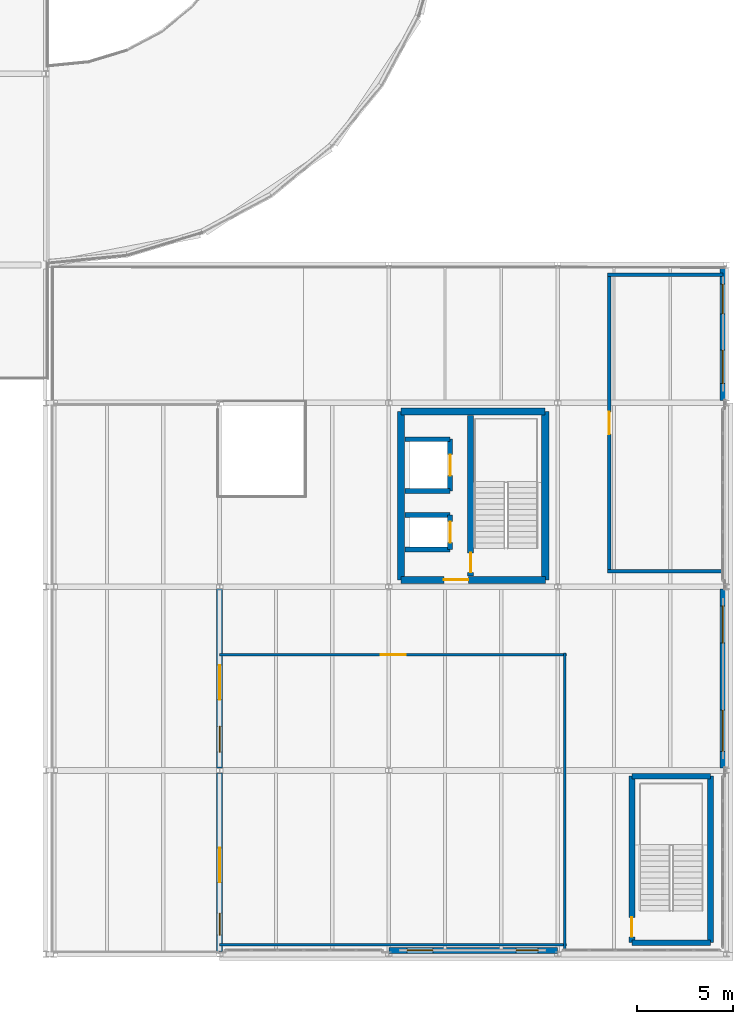
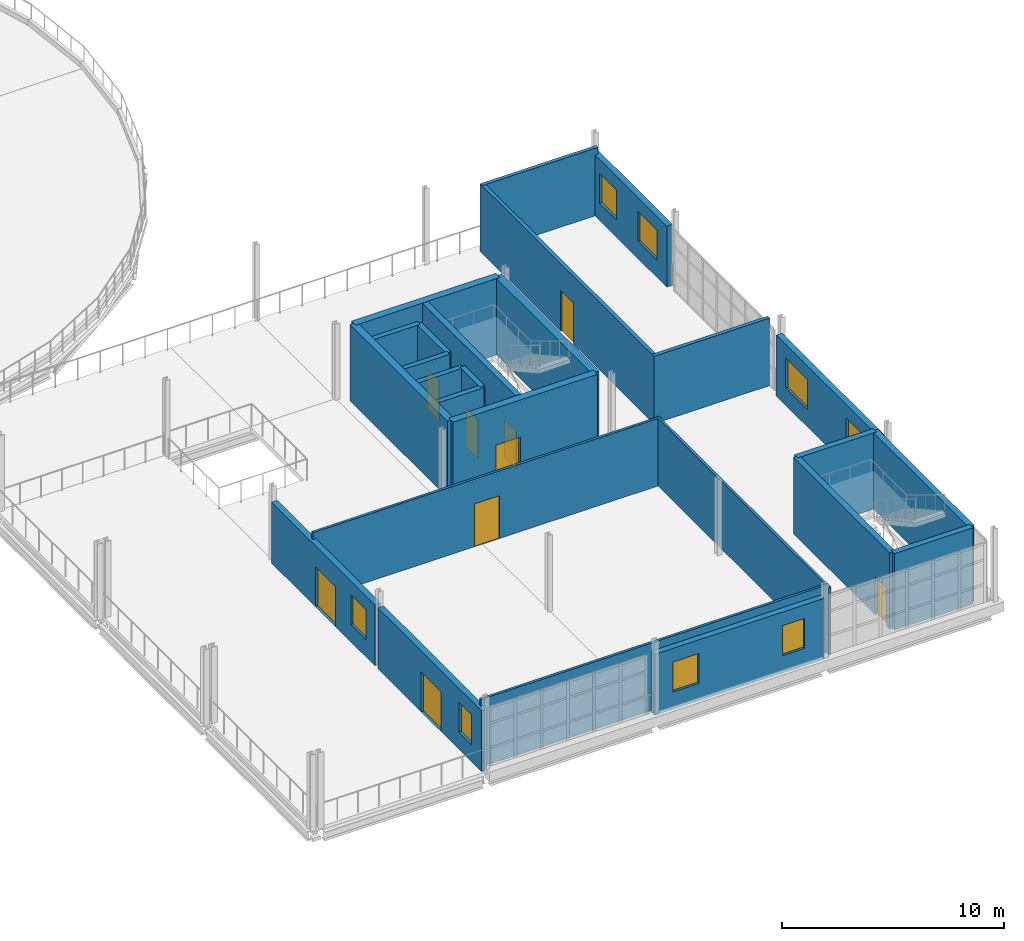
# One storey, part 47 of 58: 26 walls, 9 doors, 8 windows, 17 openings.
"""IFC4 building model written with IfcOpenShell, lengths in metres."""

from ifc_helpers import new_model, si_unit, direction, frame, frame_2d, origin, place, context, subcontext, project, spatial, rectangle, extrude, material, layer, layer_set, type_object, element, fill, save


model = new_model("IFC4")

# Units and contexts
model_context = context("Model", 3, precision=1e-05, world=origin(), true_north=direction((0.0, 1.0)))
body_context = subcontext(model_context, "Body", "Model", "MODEL_VIEW")
ifc_project = project(units=[si_unit("LENGTHUNIT", "METRE"), si_unit("AREAUNIT", "SQUARE_METRE"), si_unit("VOLUMEUNIT", "CUBIC_METRE"), si_unit("PLANEANGLEUNIT", "RADIAN"), si_unit("MASSUNIT", "GRAM", prefix="KILO")], contexts=[model_context])

# Site, building, storey
site_placement = place(None, origin())
site = spatial("IfcSite", under=ifc_project, at=site_placement, CompositionType="ELEMENT")
building_placement = place(site_placement, origin())
building = spatial("IfcBuilding", under=site, at=building_placement, Name="Yeouljin Market Hall", CompositionType="ELEMENT")
storey_placement = place(building_placement, frame((0.0, 0.0, 10.800048828125)))
storey = spatial("IfcBuildingStorey", under=building, at=storey_placement, Name="L02", CompositionType="ELEMENT", Elevation=10.800048828125)

# Wall, opening, door
ifc_material_1 = material(Name="Ceramic-Faced Acoustic Partition")
ifc_layer_1 = layer(ifc_material_1, 0.18994140625)
ifc_layer_set_1 = layer_set([ifc_layer_1], Name="Ceramic-Faced Acoustic Partition")
wall_type_1 = type_object("IfcWallType", Name="Part_KitchenTile_190", PredefinedType="PARTITIONING", material=ifc_layer_set_1)
wall_1_placement = place(storey_placement, frame((170.260009765625, 35.580078125, 0.0), z_axis=(0.0, 0.0, 1.0), x_axis=(0.0, -1.0, 0.0)))
wall_1 = element("IfcWall", 1, at=wall_1_placement, inside=storey, type_object=wall_type_1, Name="Interior partition PART-L02-0127", PredefinedType="PARTITIONING", context=body_context, shape_type="SweptSolid", body=[
    extrude(rectangle(XDim=15.66015625, YDim=0.18994140625, at=frame_2d((7.830078125, 0.0))), origin(), (0.0, 0.0, 1.0), 3.719970703125),
])
opening_1_placement = place(wall_1_placement, frame((7.25, 0.0, 0.0)))
opening_1 = element("IfcOpeningElement", 2, at=opening_1_placement, cuts=wall_1, Name="Opening D-L02-040", PredefinedType="OPENING", context=body_context, shape_type="SweptSolid", body=[
    extrude(rectangle(XDim=1.159912109375, YDim=2.260009765625, at=frame_2d((0.580078125, 1.1298828125))), frame((0.0, 0.10498046875, 0.0), z_axis=(0.0, -1.0, 0.0), x_axis=(1.0, 0.0, 0.0)), (0.0, 0.0, 1.0), 0.2099609375),
])
ifc_material_2 = material(Name="Painted Fire-Rated Steel", Category="steel")
door_type_1 = type_object("IfcDoorType", Name="DT-FD116M", OperationType="NOTDEFINED", PredefinedType="DOOR", material=ifc_material_2)
door_1_placement = place(opening_1_placement, origin())
door_1 = element("IfcDoor", 3, at=door_1_placement, inside=storey, type_object=door_type_1, Name="Interior door D-L02-040 (Harbour Dining Prep Kitchen)", OperationType="SINGLE_SWING_RIGHT", OverallHeight=2.260009765625, OverallWidth=1.159912109375, PredefinedType="DOOR", context=body_context, shape_type="SweptSolid", body=[
    extrude(rectangle(XDim=1.159912109375, YDim=2.260009765625, at=frame_2d((0.580078125, 1.1298828125))), frame((0.0, 0.02490234375, 0.0), z_axis=(0.0, -1.0, 0.0), x_axis=(1.0, 0.0, 0.0)), (0.0, 0.0, 1.0), 0.050048828125),
])
fill(opening_1, door_1)

# Walls
for number, where, z_axis, x_axis, name in (
    (4, (170.179931640625, 20.0, 0.0), (0.0, 0.0, 1.0), (1.0, 0.0, 0.0), "Interior partition PART-L02-0128"),
    (5, (176.199951171875, 35.5, 0.0), (0.0, 0.0, 1.0), (-1.0, 0.0, 0.0), "Interior partition PART-L02-0129"),
):
    element("IfcWall", number, at=place(storey_placement, frame(where, z_axis=z_axis, x_axis=x_axis)), inside=storey, type_object=wall_type_1, Name=name, PredefinedType="PARTITIONING", context=body_context, shape_type="SweptSolid", body=[
        extrude(rectangle(XDim=6.02001953125, YDim=0.18994140625, at=frame_2d((3.010009765625, 0.0))), origin(), (0.0, 0.0, 1.0), 3.719970703125),
    ])

# Wall, opening, door
ifc_material_3 = material(Name="Moisture-Resistant Gypsum Partition")
ifc_layer_2 = layer(ifc_material_3, 0.1298828125)
ifc_layer_set_2 = layer_set([ifc_layer_2], Name="Moisture-Resistant Gypsum Partition")
wall_type_2 = type_object("IfcWallType", Name="Part_Sanitary_130", PredefinedType="PARTITIONING", material=ifc_layer_set_2)
wall_2_placement = place(storey_placement, frame((168.030029296875, 15.64990234375, 0.0), z_axis=(0.0, 0.0, 1.0), x_axis=(-1.0, 0.0, 0.0)))
wall_2 = element("IfcWall", 6, at=wall_2_placement, inside=storey, type_object=wall_type_2, Name="Interior partition PART-L02-0124", PredefinedType="PARTITIONING", context=body_context, shape_type="SweptSolid", body=[
    extrude(rectangle(XDim=18.1201171875, YDim=0.1298828125, at=frame_2d((9.06005859375, 0.0))), origin(), (0.0, 0.0, 1.0), 3.719970703125),
])
opening_2_placement = place(wall_2_placement, frame((8.409912109375, 0.0, 0.0)))
opening_2 = element("IfcOpeningElement", 7, at=opening_2_placement, cuts=wall_2, Name="Opening D-L02-039", PredefinedType="OPENING", context=body_context, shape_type="SweptSolid", body=[
    extrude(rectangle(XDim=1.300048828125, YDim=2.360107421875, at=frame_2d((0.64990234375, 1.18017578125))), frame((0.0, 0.074951171875, 0.0), z_axis=(0.0, -1.0, 0.0), x_axis=(1.0, 0.0, 0.0)), (0.0, 0.0, 1.0), 0.14990234375),
])
ifc_material_4 = material(Name="Acoustic Timber Veneer", Category="wood")
door_type_2 = type_object("IfcDoorType", Name="DT-ID130T", OperationType="NOTDEFINED", PredefinedType="DOOR", material=ifc_material_4)
door_2_placement = place(opening_2_placement, origin())
door_2 = element("IfcDoor", 8, at=door_2_placement, inside=storey, type_object=door_type_2, Name="Interior door D-L02-039 (Harbour Dining Salon)", OperationType="SINGLE_SWING_LEFT", OverallHeight=2.360107421875, OverallWidth=1.300048828125, PredefinedType="DOOR", context=body_context, shape_type="SweptSolid", body=[
    extrude(rectangle(XDim=1.300048828125, YDim=2.360107421875, at=frame_2d((0.64990234375, 1.18017578125))), frame((0.0, 0.02490234375, 0.0), z_axis=(0.0, -1.0, 0.0), x_axis=(1.0, 0.0, 0.0)), (0.0, 0.0, 1.0), 0.050048828125),
])
fill(opening_2, door_2)

# Walls
wall_3_placement = place(storey_placement, frame((167.949951171875, 0.199951171875, 0.0), z_axis=(0.0, 0.0, 1.0), x_axis=(0.0, 1.0, 0.0)))
element("IfcWall", 9, at=wall_3_placement, inside=storey, type_object=wall_type_2, Name="Interior partition PART-L02-0125", PredefinedType="PARTITIONING", context=body_context, shape_type="SweptSolid", body=[
    extrude(rectangle(XDim=15.530029296875, YDim=0.1298828125, at=frame_2d((7.76513671875, 0.0))), origin(), (0.0, 0.0, 1.0), 3.719970703125),
])
wall_4_placement = place(storey_placement, frame((149.909912109375, 0.5, 0.0), z_axis=(0.0, 0.0, 1.0), x_axis=(1.0, 0.0, 0.0)))
element("IfcWall", 10, at=wall_4_placement, inside=storey, type_object=wall_type_2, Name="Interior partition PART-L02-0126", PredefinedType="PARTITIONING", context=body_context, shape_type="SweptSolid", body=[
    extrude(rectangle(XDim=18.1201171875, YDim=0.1298828125, at=frame_2d((9.06005859375, 0.0))), origin(), (0.0, 0.0, 1.0), 3.719970703125),
])

# Wall, opening, door
ifc_material_5 = material(Name="Concrete C35/45", Category="concrete")
ifc_layer_3 = layer(ifc_material_5, 0.260009765625)
ifc_layer_set_3 = layer_set([ifc_layer_3], Name="Concrete C35/45")
wall_type_3 = type_object("IfcWallType", Name="Wall_Compartment_260", PredefinedType="SHEAR", material=ifc_layer_set_3)
wall_5_placement = place(storey_placement, frame((161.945068359375, 21.14990234375, 0.0), z_axis=(0.0, 0.0, 1.0), x_axis=(0.0, 1.0, 0.0)))
wall_5 = element("IfcWall", 11, at=wall_5_placement, inside=storey, type_object=wall_type_3, Name="Lift LP-03 hoistway front wall (L02)", PredefinedType="SHEAR", context=body_context, shape_type="SweptSolid", body=[
    extrude(rectangle(XDim=1.800048828125, YDim=0.260009765625, at=frame_2d((0.89990234375, 0.0))), origin(), (0.0, 0.0, 1.0), 4.199951171875),
])
opening_3_placement = place(wall_5_placement, frame((0.35009765625, 0.0, 0.0)))
opening_3 = element("IfcOpeningElement", 12, at=opening_3_placement, cuts=wall_5, Name="Opening LD-LP-03-L02", PredefinedType="OPENING", context=body_context, shape_type="SweptSolid", body=[
    extrude(rectangle(XDim=1.10009765625, YDim=2.14990234375, at=frame_2d((0.550048828125, 1.074951171875))), frame((0.0, 0.139892578125, 0.0), z_axis=(0.0, -1.0, 0.0), x_axis=(1.0, 0.0, 0.0)), (0.0, 0.0, 1.0), 0.280029296875),
])
ifc_material_6 = material(Name="Brushed Stainless Steel", Category="steel")
door_type_3 = type_object("IfcDoorType", Name="LD-110", OperationType="SLIDING_TO_LEFT", PredefinedType="DOOR", material=ifc_material_6)
door_3_placement = place(opening_3_placement, origin())
door_3 = element("IfcDoor", 13, at=door_3_placement, inside=storey, type_object=door_type_3, Name="Lift landing sliding door LD-LP-03-L02", OperationType="SLIDING_TO_LEFT", OverallHeight=2.14990234375, OverallWidth=1.10009765625, PredefinedType="DOOR", context=body_context, shape_type="SweptSolid", body=[
    extrude(rectangle(XDim=1.10009765625, YDim=2.14990234375, at=frame_2d((0.550048828125, 1.074951171875))), frame((0.0, 0.02490234375, 0.0), z_axis=(0.0, -1.0, 0.0), x_axis=(1.0, 0.0, 0.0)), (0.0, 0.0, 1.0), 0.050048828125),
])
fill(opening_3, door_3)

# Walls
for number, where, z_axis, x_axis, name in (
    (14, (159.590087890625, 21.14990234375, 0.0), (0.0, 0.0, 1.0), (1.0, 0.0, 0.0), "Lift LP-03 shaft cheek wall S (L02)"),
    (15, (159.590087890625, 22.949951171875, 0.0), (0.0, 0.0, 1.0), (1.0, 0.0, 0.0), "Lift LP-03 shaft cheek wall N (L02)"),
):
    element("IfcWall", number, at=place(storey_placement, frame(where, z_axis=z_axis, x_axis=x_axis)), inside=storey, type_object=wall_type_3, Name=name, PredefinedType="SHEAR", context=body_context, shape_type="SweptSolid", body=[
        extrude(rectangle(XDim=2.35498046875, YDim=0.260009765625, at=frame_2d((1.177490234375, 0.0))), origin(), (0.0, 0.0, 1.0), 4.199951171875),
    ])

# Wall, opening, door
wall_6_placement = place(storey_placement, frame((161.945068359375, 24.199951171875, 0.0), z_axis=(0.0, 0.0, 1.0), x_axis=(0.0, 1.0, 0.0)))
wall_6 = element("IfcWall", 16, at=wall_6_placement, inside=storey, type_object=wall_type_3, Name="Lift LS-02 hoistway front wall (L02)", PredefinedType="SHEAR", context=body_context, shape_type="SweptSolid", body=[
    extrude(rectangle(XDim=2.699951171875, YDim=0.260009765625, at=frame_2d((1.35009765625, 0.0))), origin(), (0.0, 0.0, 1.0), 4.199951171875),
])
opening_4_placement = place(wall_6_placement, frame((0.800048828125, 0.0, 0.0)))
opening_4 = element("IfcOpeningElement", 17, at=opening_4_placement, cuts=wall_6, Name="Opening LD-LS-02-L02", PredefinedType="OPENING", context=body_context, shape_type="SweptSolid", body=[
    extrude(rectangle(XDim=1.10009765625, YDim=2.14990234375, at=frame_2d((0.550048828125, 1.074951171875))), frame((0.0, 0.139892578125, 0.0), z_axis=(0.0, -1.0, 0.0), x_axis=(1.0, 0.0, 0.0)), (0.0, 0.0, 1.0), 0.280029296875),
])
door_4_placement = place(opening_4_placement, origin())
door_4 = element("IfcDoor", 18, at=door_4_placement, inside=storey, type_object=door_type_3, Name="Lift landing sliding door LD-LS-02-L02", OperationType="SLIDING_TO_RIGHT", OverallHeight=2.14990234375, OverallWidth=1.10009765625, PredefinedType="DOOR", context=body_context, shape_type="SweptSolid", body=[
    extrude(rectangle(XDim=1.10009765625, YDim=2.14990234375, at=frame_2d((0.550048828125, 1.074951171875))), frame((0.0, 0.02490234375, 0.0), z_axis=(0.0, -1.0, 0.0), x_axis=(1.0, 0.0, 0.0)), (0.0, 0.0, 1.0), 0.050048828125),
])
fill(opening_4, door_4)

# Walls
for number, where, z_axis, x_axis, name in (
    (19, (159.590087890625, 24.199951171875, 0.0), (0.0, 0.0, 1.0), (1.0, 0.0, 0.0), "Lift LS-02 shaft cheek wall S (L02)"),
    (20, (159.590087890625, 26.89990234375, 0.0), (0.0, 0.0, 1.0), (1.0, 0.0, 0.0), "Lift LS-02 shaft cheek wall N (L02)"),
):
    element("IfcWall", number, at=place(storey_placement, frame(where, z_axis=z_axis, x_axis=x_axis)), inside=storey, type_object=wall_type_3, Name=name, PredefinedType="SHEAR", context=body_context, shape_type="SweptSolid", body=[
        extrude(rectangle(XDim=2.35498046875, YDim=0.260009765625, at=frame_2d((1.177490234375, 0.0))), origin(), (0.0, 0.0, 1.0), 4.199951171875),
    ])

# Wall, opening, door
ifc_material_7 = material(Name="Concrete C35/45", Category="concrete")
ifc_layer_4 = layer(ifc_material_7, 0.3798828125)
ifc_layer_set_4 = layer_set([ifc_layer_4], Name="Concrete C35/45")
wall_type_4 = type_object("IfcWallType", Name="Wall_CoreShear_380", PredefinedType="SHEAR", material=ifc_layer_set_4)
wall_7_placement = place(storey_placement, frame((159.389892578125, 19.550048828125, 0.0), z_axis=(0.0, 0.0, 1.0), x_axis=(1.0, 0.0, 0.0)))
wall_7 = element("IfcWall", 21, at=wall_7_placement, inside=storey, type_object=wall_type_4, Name="Core C3 south shear wall (L02)", PredefinedType="SHEAR", context=body_context, shape_type="SweptSolid", body=[
    extrude(rectangle(XDim=7.530029296875, YDim=0.3798828125, at=frame_2d((3.76513671875, 0.0))), origin(), (0.0, 0.0, 1.0), 4.199951171875),
])
opening_5_placement = place(wall_7_placement, frame((2.22998046875, 0.0, 0.0)))
opening_5 = element("IfcOpeningElement", 22, at=opening_5_placement, cuts=wall_7, Name="Opening FD-C3-L02-01", PredefinedType="OPENING", context=body_context, shape_type="SweptSolid", body=[
    extrude(rectangle(XDim=1.280029296875, YDim=2.14990234375, at=frame_2d((0.64013671875, 1.074951171875))), frame((0.0, 0.199951171875, 0.0), z_axis=(0.0, -1.0, 0.0), x_axis=(1.0, 0.0, 0.0)), (0.0, 0.0, 1.0), 0.39990234375),
])
ifc_material_8 = material(Name="Painted Fire-Rated Steel", Category="steel")
door_type_4 = type_object("IfcDoorType", Name="DT-FD128", OperationType="NOTDEFINED", PredefinedType="DOOR", material=ifc_material_8)
door_5_placement = place(opening_5_placement, origin())
door_5 = element("IfcDoor", 23, at=door_5_placement, inside=storey, type_object=door_type_4, Name="Core C3 lobby fire door (L02)", OperationType="SINGLE_SWING_LEFT", OverallHeight=2.14990234375, OverallWidth=1.280029296875, PredefinedType="DOOR", context=body_context, shape_type="SweptSolid", body=[
    extrude(rectangle(XDim=1.280029296875, YDim=2.14990234375, at=frame_2d((0.64013671875, 1.074951171875))), frame((0.0, 0.02490234375, 0.0), z_axis=(0.0, -1.0, 0.0), x_axis=(1.0, 0.0, 0.0)), (0.0, 0.0, 1.0), 0.050048828125),
])
fill(opening_5, door_5)

# Walls
wall_8_placement = place(storey_placement, frame((166.919921875, 28.35009765625, 0.0), z_axis=(0.0, 0.0, 1.0), x_axis=(-1.0, 0.0, 0.0)))
element("IfcWall", 24, at=wall_8_placement, inside=storey, type_object=wall_type_4, Name="Core C3 north shear wall (L02)", PredefinedType="SHEAR", context=body_context, shape_type="SweptSolid", body=[
    extrude(rectangle(XDim=7.530029296875, YDim=0.3798828125, at=frame_2d((3.76513671875, 0.0))), origin(), (0.0, 0.0, 1.0), 4.199951171875),
])
for number, where, z_axis, x_axis, name in (
    (25, (159.389892578125, 28.35009765625, 0.0), (0.0, 0.0, 1.0), (0.0, -1.0, 0.0), "Core C3 west shear wall (L02)"),
    (26, (166.919921875, 19.550048828125, 0.0), (0.0, 0.0, 1.0), (0.0, 1.0, 0.0), "Core C3 east shear wall (L02)"),
):
    element("IfcWall", number, at=place(storey_placement, frame(where, z_axis=z_axis, x_axis=x_axis)), inside=storey, type_object=wall_type_4, Name=name, PredefinedType="SHEAR", context=body_context, shape_type="SweptSolid", body=[
        extrude(rectangle(XDim=8.800048828125, YDim=0.3798828125, at=frame_2d((4.39990234375, 0.0))), origin(), (0.0, 0.0, 1.0), 4.199951171875),
    ])

# Wall, openings, windows
ifc_material_9 = material(Name="Clinker Brick Masonry F2-S2", Category="masonry")
ifc_layer_5 = layer(ifc_material_9, 0.31005859375)
ifc_layer_set_5 = layer_set([ifc_layer_5], Name="Clinker Brick Masonry F2-S2")
wall_type_5 = type_object("IfcWallType", Name="Wall_Ext_ClinkerSawtooth_310", PredefinedType="SOLIDWALL", material=ifc_layer_set_5)
wall_9_placement = place(storey_placement, frame((167.55810546875, 0.199951171875, 0.0), z_axis=(0.0, 0.0, 1.0), x_axis=(-1.0, 0.0, 0.0)))
wall_9 = element("IfcWall", 27, at=wall_9_placement, inside=storey, type_object=wall_type_5, Name="Exterior wall WE-L02-B09", PredefinedType="SOLIDWALL", context=body_context, shape_type="SweptSolid", body=[
    extrude(rectangle(XDim=8.80615234375, YDim=0.31005859375, at=frame_2d((4.403076171875, 0.0))), origin(), (0.0, 0.0, 1.0), 3.349853515625),
])
opening_6_placement = place(wall_9_placement, frame((1.008056640625, 0.0, 0.949951171875)))
opening_6 = element("IfcOpeningElement", 28, at=opening_6_placement, cuts=wall_9, Name="Opening WN-40", PredefinedType="OPENING", context=body_context, shape_type="SweptSolid", body=[
    extrude(rectangle(XDim=1.14990234375, YDim=1.64990234375, at=frame_2d((0.574951171875, 0.824951171875))), frame((0.0, 0.1650390625, 0.0), z_axis=(0.0, -1.0, 0.0), x_axis=(1.0, 0.0, 0.0)), (0.0, 0.0, 1.0), 0.330078125),
])
opening_7_placement = place(wall_9_placement, frame((6.508056640625, 0.0, 0.949951171875)))
opening_7 = element("IfcOpeningElement", 29, at=opening_7_placement, cuts=wall_9, Name="Opening WN-41", PredefinedType="OPENING", context=body_context, shape_type="SweptSolid", body=[
    extrude(rectangle(XDim=1.35009765625, YDim=1.64990234375, at=frame_2d((0.675048828125, 0.824951171875))), frame((0.0, 0.1650390625, 0.0), z_axis=(0.0, -1.0, 0.0), x_axis=(1.0, 0.0, 0.0)), (0.0, 0.0, 1.0), 0.330078125),
])
ifc_material_10 = material(Name="Low-E Insulated Glass", Category="glass")
window_type_1 = type_object("IfcWindowType", Name="Win_Ladder_1150x1650", PartitioningType="DOUBLE_PANEL_HORIZONTAL", PredefinedType="WINDOW", material=ifc_material_10)
window_1_placement = place(opening_6_placement, origin())
window_1 = element("IfcWindow", 30, at=window_1_placement, inside=storey, type_object=window_type_1, Name="Exterior window WIN-L02-B09A", OverallHeight=1.64990234375, OverallWidth=1.14990234375, PartitioningType="SINGLE_PANEL", PredefinedType="WINDOW", context=body_context, shape_type="SweptSolid", body=[
    extrude(rectangle(XDim=1.14990234375, YDim=1.64990234375, at=frame_2d((0.574951171875, 0.824951171875))), frame((0.0, 0.030029296875, 0.0), z_axis=(0.0, -1.0, 0.0), x_axis=(1.0, 0.0, 0.0)), (0.0, 0.0, 1.0), 0.06005859375),
])
fill(opening_6, window_1)
ifc_material_11 = material(Name="Low-E Insulated Glass", Category="glass")
window_type_2 = type_object("IfcWindowType", Name="Win_Ladder_1350x1650", PartitioningType="DOUBLE_PANEL_HORIZONTAL", PredefinedType="WINDOW", material=ifc_material_11)
window_2_placement = place(opening_7_placement, origin())
window_2 = element("IfcWindow", 31, at=window_2_placement, inside=storey, type_object=window_type_2, Name="Exterior window WIN-L02-B09B", OverallHeight=1.64990234375, OverallWidth=1.35009765625, PartitioningType="SINGLE_PANEL", PredefinedType="WINDOW", context=body_context, shape_type="SweptSolid", body=[
    extrude(rectangle(XDim=1.35009765625, YDim=1.64990234375, at=frame_2d((0.675048828125, 0.824951171875))), frame((0.0, 0.030029296875, 0.0), z_axis=(0.0, -1.0, 0.0), x_axis=(1.0, 0.0, 0.0)), (0.0, 0.0, 1.0), 0.06005859375),
])
fill(opening_7, window_2)

wall_10_placement = place(storey_placement, frame((176.199951171875, 35.867919921875, 0.0), z_axis=(0.0, 0.0, 1.0), x_axis=(0.0, -1.0, 0.0)))
wall_10 = element("IfcWall", 32, at=wall_10_placement, inside=storey, type_object=wall_type_5, Name="Exterior wall WE-L02-B11", PredefinedType="SOLIDWALL", context=body_context, shape_type="SweptSolid", body=[
    extrude(rectangle(XDim=6.93603515625, YDim=0.31005859375, at=frame_2d((3.468017578125, 0.0))), origin(), (0.0, 0.0, 1.0), 3.349853515625),
])
opening_8_placement = place(wall_10_placement, frame((0.867919921875, 0.0, 0.949951171875)))
opening_8 = element("IfcOpeningElement", 33, at=opening_8_placement, cuts=wall_10, Name="Opening WN-42", PredefinedType="OPENING", context=body_context, shape_type="SweptSolid", body=[
    extrude(rectangle(XDim=1.550048828125, YDim=1.64990234375, at=frame_2d((0.77490234375, 0.824951171875))), frame((0.0, 0.1650390625, 0.0), z_axis=(0.0, -1.0, 0.0), x_axis=(1.0, 0.0, 0.0)), (0.0, 0.0, 1.0), 0.330078125),
])
opening_9_placement = place(wall_10_placement, frame((4.318115234375, 0.0, 0.949951171875)))
opening_9 = element("IfcOpeningElement", 34, at=opening_9_placement, cuts=wall_10, Name="Opening WN-43", PredefinedType="OPENING", context=body_context, shape_type="SweptSolid", body=[
    extrude(rectangle(XDim=1.75, YDim=1.64990234375, at=frame_2d((0.875, 0.824951171875))), frame((0.0, 0.1650390625, 0.0), z_axis=(0.0, -1.0, 0.0), x_axis=(1.0, 0.0, 0.0)), (0.0, 0.0, 1.0), 0.330078125),
])
ifc_material_12 = material(Name="Low-E Insulated Glass", Category="glass")
window_type_3 = type_object("IfcWindowType", Name="Win_Ladder_1550x1650", PartitioningType="DOUBLE_PANEL_HORIZONTAL", PredefinedType="WINDOW", material=ifc_material_12)
window_3_placement = place(opening_8_placement, origin())
window_3 = element("IfcWindow", 35, at=window_3_placement, inside=storey, type_object=window_type_3, Name="Exterior window WIN-L02-B11A", OverallHeight=1.64990234375, OverallWidth=1.550048828125, PartitioningType="SINGLE_PANEL", PredefinedType="WINDOW", context=body_context, shape_type="SweptSolid", body=[
    extrude(rectangle(XDim=1.550048828125, YDim=1.64990234375, at=frame_2d((0.77490234375, 0.824951171875))), frame((0.0, 0.030029296875, 0.0), z_axis=(0.0, -1.0, 0.0), x_axis=(1.0, 0.0, 0.0)), (0.0, 0.0, 1.0), 0.06005859375),
])
fill(opening_8, window_3)
ifc_material_13 = material(Name="Low-E Insulated Glass", Category="glass")
window_type_4 = type_object("IfcWindowType", Name="Win_Ladder_1750x1650", PartitioningType="DOUBLE_PANEL_HORIZONTAL", PredefinedType="WINDOW", material=ifc_material_13)
window_4_placement = place(opening_9_placement, origin())
window_4 = element("IfcWindow", 36, at=window_4_placement, inside=storey, type_object=window_type_4, Name="Exterior window WIN-L02-B11B", OverallHeight=1.64990234375, OverallWidth=1.75, PartitioningType="SINGLE_PANEL", PredefinedType="WINDOW", context=body_context, shape_type="SweptSolid", body=[
    extrude(rectangle(XDim=1.75, YDim=1.64990234375, at=frame_2d((0.875, 0.824951171875))), frame((0.0, 0.030029296875, 0.0), z_axis=(0.0, -1.0, 0.0), x_axis=(1.0, 0.0, 0.0)), (0.0, 0.0, 1.0), 0.06005859375),
])
fill(opening_9, window_4)

wall_11_placement = place(storey_placement, frame((176.199951171875, 19.068115234375, 0.0), z_axis=(0.0, 0.0, 1.0), x_axis=(0.0, -1.0, 0.0)))
wall_11 = element("IfcWall", 37, at=wall_11_placement, inside=storey, type_object=wall_type_5, Name="Exterior wall WE-L02-B13", PredefinedType="SOLIDWALL", context=body_context, shape_type="SweptSolid", body=[
    extrude(rectangle(XDim=9.336181640625, YDim=0.31005859375, at=frame_2d((4.66796875, 0.0))), origin(), (0.0, 0.0, 1.0), 3.349853515625),
])
opening_10_placement = place(wall_11_placement, frame((0.867919921875, 0.0, 0.949951171875)))
opening_10 = element("IfcOpeningElement", 38, at=opening_10_placement, cuts=wall_11, Name="Opening WN-44", PredefinedType="OPENING", context=body_context, shape_type="SweptSolid", body=[
    extrude(rectangle(XDim=1.949951171875, YDim=1.64990234375, at=frame_2d((0.97509765625, 0.824951171875))), frame((0.0, 0.1650390625, 0.0), z_axis=(0.0, -1.0, 0.0), x_axis=(1.0, 0.0, 0.0)), (0.0, 0.0, 1.0), 0.330078125),
])
opening_11_placement = place(wall_11_placement, frame((6.318115234375, 0.0, 0.949951171875)))
opening_11 = element("IfcOpeningElement", 39, at=opening_11_placement, cuts=wall_11, Name="Opening WN-45", PredefinedType="OPENING", context=body_context, shape_type="SweptSolid", body=[
    extrude(rectangle(XDim=2.14990234375, YDim=1.64990234375, at=frame_2d((1.074951171875, 0.824951171875))), frame((0.0, 0.1650390625, 0.0), z_axis=(0.0, -1.0, 0.0), x_axis=(1.0, 0.0, 0.0)), (0.0, 0.0, 1.0), 0.330078125),
])
ifc_material_14 = material(Name="Low-E Insulated Glass", Category="glass")
window_type_5 = type_object("IfcWindowType", Name="Win_Ladder_1950x1650", PartitioningType="TRIPLE_PANEL_VERTICAL", PredefinedType="WINDOW", material=ifc_material_14)
window_5_placement = place(opening_10_placement, origin())
window_5 = element("IfcWindow", 40, at=window_5_placement, inside=storey, type_object=window_type_5, Name="Exterior window WIN-L02-B13A", OverallHeight=1.64990234375, OverallWidth=1.949951171875, PartitioningType="SINGLE_PANEL", PredefinedType="WINDOW", context=body_context, shape_type="SweptSolid", body=[
    extrude(rectangle(XDim=1.949951171875, YDim=1.64990234375, at=frame_2d((0.97509765625, 0.824951171875))), frame((0.0, 0.030029296875, 0.0), z_axis=(0.0, -1.0, 0.0), x_axis=(1.0, 0.0, 0.0)), (0.0, 0.0, 1.0), 0.06005859375),
])
fill(opening_10, window_5)
ifc_material_15 = material(Name="Low-E Insulated Glass", Category="glass")
window_type_6 = type_object("IfcWindowType", Name="Win_Ladder_2150x1650", PartitioningType="TRIPLE_PANEL_VERTICAL", PredefinedType="WINDOW", material=ifc_material_15)
window_6_placement = place(opening_11_placement, origin())
window_6 = element("IfcWindow", 41, at=window_6_placement, inside=storey, type_object=window_type_6, Name="Exterior window WIN-L02-B13B", OverallHeight=1.64990234375, OverallWidth=2.14990234375, PartitioningType="SINGLE_PANEL", PredefinedType="WINDOW", context=body_context, shape_type="SweptSolid", body=[
    extrude(rectangle(XDim=2.14990234375, YDim=1.64990234375, at=frame_2d((1.074951171875, 0.824951171875))), frame((0.0, 0.030029296875, 0.0), z_axis=(0.0, -1.0, 0.0), x_axis=(1.0, 0.0, 0.0)), (0.0, 0.0, 1.0), 0.06005859375),
])
fill(opening_11, window_6)

# Wall, openings, door, window
wall_12_placement = place(storey_placement, frame((149.909912109375, 0.132080078125, 0.0), z_axis=(0.0, 0.0, 1.0), x_axis=(0.0, 1.0, 0.0)))
wall_12 = element("IfcWall", 42, at=wall_12_placement, inside=storey, type_object=wall_type_5, Name="Exterior wall WE-L02-TR-ACC1", PredefinedType="SOLIDWALL", context=body_context, shape_type="SweptSolid", body=[
    extrude(rectangle(XDim=9.3359375, YDim=0.31005859375, at=frame_2d((4.66796875, 0.0))), origin(), (0.0, 0.0, 1.0), 3.349853515625),
])
opening_12_placement = place(wall_12_placement, frame((3.617919921875, 0.0, 0.0)))
opening_12 = element("IfcOpeningElement", 43, at=opening_12_placement, cuts=wall_12, Name="Opening TD-L02-01", PredefinedType="OPENING", context=body_context, shape_type="SweptSolid", body=[
    extrude(rectangle(XDim=1.800048828125, YDim=2.199951171875, at=frame_2d((0.89990234375, 1.10009765625))), frame((0.0, 0.1650390625, 0.0), z_axis=(0.0, -1.0, 0.0), x_axis=(1.0, 0.0, 0.0)), (0.0, 0.0, 1.0), 0.330078125),
])
opening_13_placement = place(wall_12_placement, frame((0.867919921875, 0.0, 0.949951171875)))
opening_13 = element("IfcOpeningElement", 44, at=opening_13_placement, cuts=wall_12, Name="Opening WN-40", PredefinedType="OPENING", context=body_context, shape_type="SweptSolid", body=[
    extrude(rectangle(XDim=1.14990234375, YDim=1.64990234375, at=frame_2d((0.574951171875, 0.824951171875))), frame((0.0, 0.1650390625, 0.0), z_axis=(0.0, -1.0, 0.0), x_axis=(1.0, 0.0, 0.0)), (0.0, 0.0, 1.0), 0.330078125),
])
ifc_material_16 = material(Name="Thermally Broken Aluminium", Category="aluminium")
door_type_5 = type_object("IfcDoorType", Name="DT-TD180", OperationType="NOTDEFINED", PredefinedType="DOOR", material=ifc_material_16)
door_6_placement = place(opening_12_placement, origin())
door_6 = element("IfcDoor", 45, at=door_6_placement, inside=storey, type_object=door_type_5, Name="Exterior door TD-L02-01", OperationType="DOUBLE_DOOR_SINGLE_SWING", OverallHeight=2.199951171875, OverallWidth=1.800048828125, PredefinedType="DOOR", context=body_context, shape_type="SweptSolid", body=[
    extrude(rectangle(XDim=1.800048828125, YDim=2.199951171875, at=frame_2d((0.89990234375, 1.10009765625))), frame((0.0, 0.02490234375, 0.0), z_axis=(0.0, -1.0, 0.0), x_axis=(1.0, 0.0, 0.0)), (0.0, 0.0, 1.0), 0.050048828125),
])
fill(opening_12, door_6)
window_7_placement = place(opening_13_placement, origin())
window_7 = element("IfcWindow", 46, at=window_7_placement, inside=storey, type_object=window_type_1, Name="Exterior window WIN-L02-TR-1", OverallHeight=1.64990234375, OverallWidth=1.14990234375, PartitioningType="SINGLE_PANEL", PredefinedType="WINDOW", context=body_context, shape_type="SweptSolid", body=[
    extrude(rectangle(XDim=1.14990234375, YDim=1.64990234375, at=frame_2d((0.574951171875, 0.824951171875))), frame((0.0, 0.030029296875, 0.0), z_axis=(0.0, -1.0, 0.0), x_axis=(1.0, 0.0, 0.0)), (0.0, 0.0, 1.0), 0.06005859375),
])
fill(opening_13, window_7)

wall_13_placement = place(storey_placement, frame((149.909912109375, 9.73193359375, 0.0), z_axis=(0.0, 0.0, 1.0), x_axis=(0.0, 1.0, 0.0)))
wall_13 = element("IfcWall", 47, at=wall_13_placement, inside=storey, type_object=wall_type_5, Name="Exterior wall WE-L02-TR-ACC2", PredefinedType="SOLIDWALL", context=body_context, shape_type="SweptSolid", body=[
    extrude(rectangle(XDim=9.336181640625, YDim=0.31005859375, at=frame_2d((4.66796875, 0.0))), origin(), (0.0, 0.0, 1.0), 3.349853515625),
])
opening_14_placement = place(wall_13_placement, frame((3.568115234375, 0.0, 0.0)))
opening_14 = element("IfcOpeningElement", 48, at=opening_14_placement, cuts=wall_13, Name="Opening TD-L02-02", PredefinedType="OPENING", context=body_context, shape_type="SweptSolid", body=[
    extrude(rectangle(XDim=1.800048828125, YDim=2.199951171875, at=frame_2d((0.89990234375, 1.10009765625))), frame((0.0, 0.1650390625, 0.0), z_axis=(0.0, -1.0, 0.0), x_axis=(1.0, 0.0, 0.0)), (0.0, 0.0, 1.0), 0.330078125),
])
opening_15_placement = place(wall_13_placement, frame((0.818115234375, 0.0, 0.949951171875)))
opening_15 = element("IfcOpeningElement", 49, at=opening_15_placement, cuts=wall_13, Name="Opening WN-41", PredefinedType="OPENING", context=body_context, shape_type="SweptSolid", body=[
    extrude(rectangle(XDim=1.35009765625, YDim=1.64990234375, at=frame_2d((0.675048828125, 0.824951171875))), frame((0.0, 0.1650390625, 0.0), z_axis=(0.0, -1.0, 0.0), x_axis=(1.0, 0.0, 0.0)), (0.0, 0.0, 1.0), 0.330078125),
])
door_7_placement = place(opening_14_placement, origin())
door_7 = element("IfcDoor", 50, at=door_7_placement, inside=storey, type_object=door_type_5, Name="Exterior door TD-L02-02", OperationType="DOUBLE_DOOR_SINGLE_SWING", OverallHeight=2.199951171875, OverallWidth=1.800048828125, PredefinedType="DOOR", context=body_context, shape_type="SweptSolid", body=[
    extrude(rectangle(XDim=1.800048828125, YDim=2.199951171875, at=frame_2d((0.89990234375, 1.10009765625))), frame((0.0, 0.02490234375, 0.0), z_axis=(0.0, -1.0, 0.0), x_axis=(1.0, 0.0, 0.0)), (0.0, 0.0, 1.0), 0.050048828125),
])
fill(opening_14, door_7)
window_8_placement = place(opening_15_placement, origin())
window_8 = element("IfcWindow", 51, at=window_8_placement, inside=storey, type_object=window_type_2, Name="Exterior window WIN-L02-TR-2", OverallHeight=1.64990234375, OverallWidth=1.35009765625, PartitioningType="SINGLE_PANEL", PredefinedType="WINDOW", context=body_context, shape_type="SweptSolid", body=[
    extrude(rectangle(XDim=1.35009765625, YDim=1.64990234375, at=frame_2d((0.675048828125, 0.824951171875))), frame((0.0, 0.030029296875, 0.0), z_axis=(0.0, -1.0, 0.0), x_axis=(1.0, 0.0, 0.0)), (0.0, 0.0, 1.0), 0.06005859375),
])
fill(opening_15, window_8)

# Wall, opening, door
ifc_material_17 = material(Name="Concrete C35/45", Category="concrete")
ifc_layer_6 = layer(ifc_material_17, 0.300048828125)
ifc_layer_set_6 = layer_set([ifc_layer_6], Name="Concrete C35/45")
wall_type_6 = type_object("IfcWallType", Name="Wall_ShaftShear_300", PredefinedType="SHEAR", material=ifc_layer_set_6)
wall_14_placement = place(storey_placement, frame((163.02001953125, 19.75, 0.0), z_axis=(0.0, 0.0, 1.0), x_axis=(0.0, 1.0, 0.0)))
wall_14 = element("IfcWall", 52, at=wall_14_placement, inside=storey, type_object=wall_type_6, Name="Core C3 stairwell divider wall (L02)", PredefinedType="SHEAR", context=body_context, shape_type="SweptSolid", body=[
    extrude(rectangle(XDim=8.39990234375, YDim=0.300048828125, at=frame_2d((4.199951171875, 0.0))), origin(), (0.0, 0.0, 1.0), 4.199951171875),
])
opening_16_placement = place(wall_14_placement, frame((0.199951171875, 0.0, 0.0)))
opening_16 = element("IfcOpeningElement", 53, at=opening_16_placement, cuts=wall_14, Name="Opening SD-C3-L02", PredefinedType="OPENING", context=body_context, shape_type="SweptSolid", body=[
    extrude(rectangle(XDim=1.02001953125, YDim=2.10009765625, at=frame_2d((0.510009765625, 1.050048828125))), frame((0.0, 0.159912109375, 0.0), z_axis=(0.0, -1.0, 0.0), x_axis=(1.0, 0.0, 0.0)), (0.0, 0.0, 1.0), 0.320068359375),
])
ifc_material_18 = material(Name="Painted Fire-Rated Steel", Category="steel")
door_type_6 = type_object("IfcDoorType", Name="DT-FD102", OperationType="NOTDEFINED", PredefinedType="DOOR", material=ifc_material_18)
door_8_placement = place(opening_16_placement, origin())
door_8 = element("IfcDoor", 54, at=door_8_placement, inside=storey, type_object=door_type_6, Name="Core C3 exit stair door (L02)", OperationType="SINGLE_SWING_RIGHT", OverallHeight=2.10009765625, OverallWidth=1.02001953125, PredefinedType="DOOR", context=body_context, shape_type="SweptSolid", body=[
    extrude(rectangle(XDim=1.02001953125, YDim=2.10009765625, at=frame_2d((0.510009765625, 1.050048828125))), frame((0.0, 0.02490234375, 0.0), z_axis=(0.0, -1.0, 0.0), x_axis=(1.0, 0.0, 0.0)), (0.0, 0.0, 1.0), 0.050048828125),
])
fill(opening_16, door_8)

# Walls
for number, where, z_axis, x_axis, name in (
    (55, (171.449951171875, 0.60009765625, 0.0), (0.0, 0.0, 1.0), (1.0, 0.0, 0.0), "Core S8 south shear wall (L02)"),
    (56, (175.550048828125, 9.300048828125, 0.0), (0.0, 0.0, 1.0), (-1.0, 0.0, 0.0), "Core S8 north shear wall (L02)"),
):
    element("IfcWall", number, at=place(storey_placement, frame(where, z_axis=z_axis, x_axis=x_axis)), inside=storey, type_object=wall_type_6, Name=name, PredefinedType="SHEAR", context=body_context, shape_type="SweptSolid", body=[
        extrude(rectangle(XDim=4.10009765625, YDim=0.300048828125, at=frame_2d((2.050048828125, 0.0))), origin(), (0.0, 0.0, 1.0), 4.199951171875),
    ])

# Wall, opening, door
wall_15_placement = place(storey_placement, frame((171.449951171875, 9.300048828125, 0.0), z_axis=(0.0, 0.0, 1.0), x_axis=(0.0, -1.0, 0.0)))
wall_15 = element("IfcWall", 57, at=wall_15_placement, inside=storey, type_object=wall_type_6, Name="Core S8 west shear wall (L02)", PredefinedType="SHEAR", context=body_context, shape_type="SweptSolid", body=[
    extrude(rectangle(XDim=8.699951171875, YDim=0.300048828125, at=frame_2d((4.35009765625, 0.0))), origin(), (0.0, 0.0, 1.0), 4.199951171875),
])
opening_17_placement = place(wall_15_placement, frame((7.3798828125, 0.0, 0.0)))
opening_17 = element("IfcOpeningElement", 58, at=opening_17_placement, cuts=wall_15, Name="Opening SD-S8-L02", PredefinedType="OPENING", context=body_context, shape_type="SweptSolid", body=[
    extrude(rectangle(XDim=1.02001953125, YDim=2.10009765625, at=frame_2d((0.510009765625, 1.050048828125))), frame((0.0, 0.159912109375, 0.0), z_axis=(0.0, -1.0, 0.0), x_axis=(1.0, 0.0, 0.0)), (0.0, 0.0, 1.0), 0.320068359375),
])
door_9_placement = place(opening_17_placement, origin())
door_9 = element("IfcDoor", 59, at=door_9_placement, inside=storey, type_object=door_type_6, Name="Escape stair S8 fire door (L02)", OperationType="SINGLE_SWING_LEFT", OverallHeight=2.10009765625, OverallWidth=1.02001953125, PredefinedType="DOOR", context=body_context, shape_type="SweptSolid", body=[
    extrude(rectangle(XDim=1.02001953125, YDim=2.10009765625, at=frame_2d((0.510009765625, 1.050048828125))), frame((0.0, 0.02490234375, 0.0), z_axis=(0.0, -1.0, 0.0), x_axis=(1.0, 0.0, 0.0)), (0.0, 0.0, 1.0), 0.050048828125),
])
fill(opening_17, door_9)

# Wall
wall_16_placement = place(storey_placement, frame((175.550048828125, 0.60009765625, 0.0), z_axis=(0.0, 0.0, 1.0), x_axis=(0.0, 1.0, 0.0)))
element("IfcWall", 60, at=wall_16_placement, inside=storey, type_object=wall_type_6, Name="Core S8 east shear wall (L02)", PredefinedType="SHEAR", context=body_context, shape_type="SweptSolid", body=[
    extrude(rectangle(XDim=8.699951171875, YDim=0.300048828125, at=frame_2d((4.35009765625, 0.0))), origin(), (0.0, 0.0, 1.0), 4.199951171875),
])

save(model, "model.ifc")
